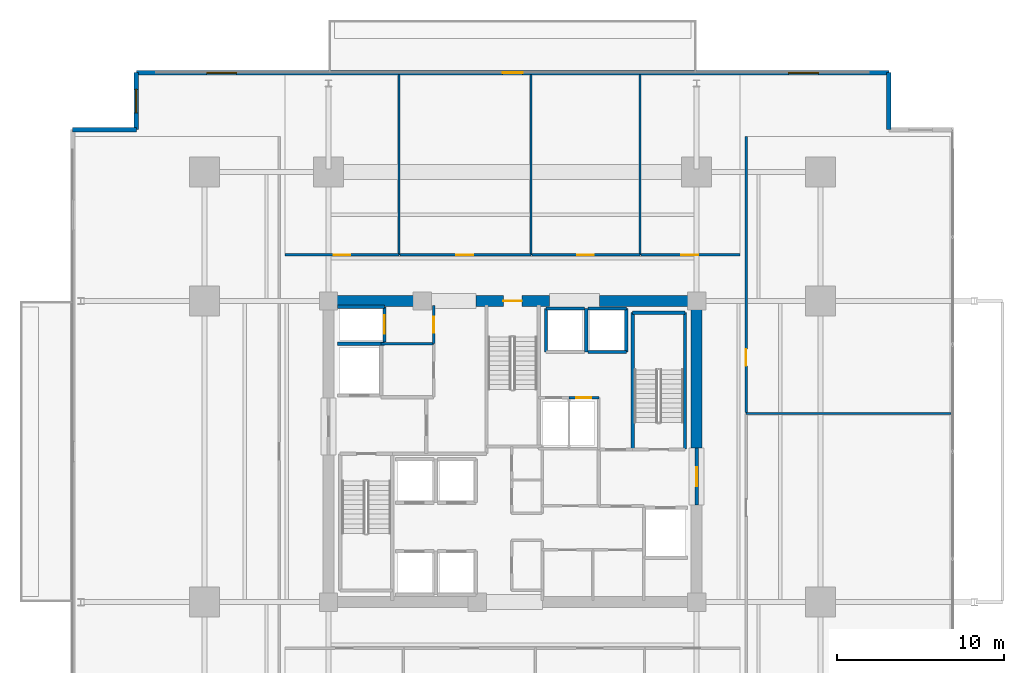
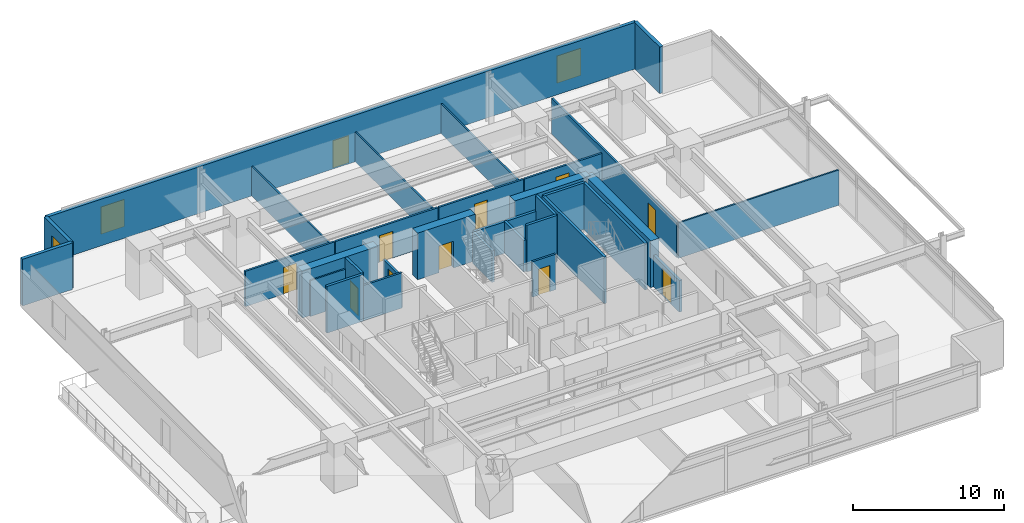
# One storey, part 14 of 19: 33 walls, 11 doors, 3 windows, 14 openings.
"""IFC4 building model written with IfcOpenShell, lengths in metres."""

from ifc_helpers import new_model, si_unit, direction, frame, frame_2d, origin, place, context, subcontext, project, spatial, rectangle, extrude, material, layer, layer_set, type_object, element, fill, save


model = new_model("IFC4")

# Units and contexts
model_context = context("Model", 3, precision=1e-05, world=origin(), true_north=direction((0.0, 1.0)))
body_context = subcontext(model_context, "Body", "Model", "MODEL_VIEW")
ifc_project = project(units=[si_unit("LENGTHUNIT", "METRE"), si_unit("AREAUNIT", "SQUARE_METRE"), si_unit("VOLUMEUNIT", "CUBIC_METRE"), si_unit("PLANEANGLEUNIT", "RADIAN"), si_unit("MASSUNIT", "GRAM", prefix="KILO")], contexts=[model_context])

# Site, building, storey
site_placement = place(None, origin())
site = spatial("IfcSite", under=ifc_project, at=site_placement, CompositionType="ELEMENT")
building_placement = place(site_placement, origin())
building = spatial("IfcBuilding", under=site, at=building_placement, Name="Kovane Verandah Tower", CompositionType="ELEMENT")
storey_placement = place(building_placement, frame((0.0, 0.0, 83.60009765625)))
storey = spatial("IfcBuildingStorey", under=building, at=storey_placement, Name="L19", CompositionType="ELEMENT", Elevation=83.60009765625)

# Wall
ifc_material_1 = material(Name="Fire-Rated Gypsum Stud Partition", Category="gypsum")
ifc_layer_1 = layer(ifc_material_1, 0.14990234375)
ifc_layer_set_1 = layer_set([ifc_layer_1], Name="Fire-Rated Gypsum Stud Partition")
wall_type_1 = type_object("IfcWallType", Name="WL-COR-150", PredefinedType="PARTITIONING", material=ifc_layer_set_1)
wall_1_placement = place(storey_placement, frame((32.14990234375, 33.949951171875, 0.0), z_axis=(0.0, 0.0, 1.0), x_axis=(1.0, 0.0, 0.0)))
element("IfcWall", 1, at=wall_1_placement, inside=storey, type_object=wall_type_1, Name="L19 Goods Lift Lobby South Wall", PredefinedType="PARTITIONING", context=body_context, shape_type="SweptSolid", body=[
    extrude(rectangle(XDim=3.130126953125, YDim=0.14990234375, at=frame_2d((1.56494140625, 0.0))), origin(), (0.0, 0.0, 1.0), 2.849853515625),
])

# Wall, opening, door
wall_2_placement = place(storey_placement, frame((35.280029296875, 33.949951171875, 0.0), z_axis=(0.0, 0.0, 1.0), x_axis=(0.0, 1.0, 0.0)))
wall_2 = element("IfcWall", 2, at=wall_2_placement, inside=storey, type_object=wall_type_1, Name="L19 Goods Lift Lobby East Fire Partition", PredefinedType="PARTITIONING", context=body_context, shape_type="SweptSolid", body=[
    extrude(rectangle(XDim=2.27001953125, YDim=0.14990234375, at=frame_2d((1.135009765625, 0.0))), origin(), (0.0, 0.0, 1.0), 2.539794921875),
])
opening_1_placement = place(wall_2_placement, frame((0.659912109375, 0.0, 0.0)))
opening_1 = element("IfcOpeningElement", 3, at=opening_1_placement, cuts=wall_2, Name="Opening DR-L19-008", PredefinedType="OPENING", context=body_context, shape_type="SweptSolid", body=[
    extrude(rectangle(XDim=0.949951171875, YDim=2.14990234375, at=frame_2d((0.47509765625, 1.074951171875))), frame((0.0, 0.074951171875, 0.0), z_axis=(0.0, -1.0, 0.0), x_axis=(1.0, 0.0, 0.0)), (0.0, 0.0, 1.0), 0.14990234375),
])
ifc_material_2 = material(Name="Fire-Rated Steel Refuge and Lobby Door", Category="steel")
door_type_1 = type_object("IfcDoorType", Name="DR-FIRE-950", OperationType="SINGLE_SWING_LEFT", PredefinedType="DOOR", material=ifc_material_2)
door_1_placement = place(opening_1_placement, origin())
door_1 = element("IfcDoor", 4, at=door_1_placement, inside=storey, type_object=door_type_1, Name="L19 Goods Lift Lobby Fire Door", OperationType="SINGLE_SWING_LEFT", OverallHeight=2.14990234375, OverallWidth=0.949951171875, PredefinedType="DOOR", context=body_context, shape_type="SweptSolid", body=[
    extrude(rectangle(XDim=0.949951171875, YDim=2.14990234375, at=frame_2d((0.47509765625, 1.074951171875))), frame((0.0, 0.02490234375, 0.0), z_axis=(0.0, -1.0, 0.0), x_axis=(1.0, 0.0, 0.0)), (0.0, 0.0, 1.0), 0.050048828125),
])
fill(opening_1, door_1)

wall_3_placement = place(storey_placement, frame((43.360107421875, 30.719970703125, 0.0), z_axis=(0.0, 0.0, 1.0), x_axis=(1.0, 0.0, 0.0)))
wall_3 = element("IfcWall", 5, at=wall_3_placement, inside=storey, type_object=wall_type_1, Name="L19 Smoke Extract Duct Room Partition", PredefinedType="PARTITIONING", context=body_context, shape_type="SweptSolid", body=[
    extrude(rectangle(XDim=1.789794921875, YDim=0.14990234375, at=frame_2d((0.89501953125, 0.0))), origin(), (0.0, 0.0, 1.0), 2.849853515625),
])
opening_2_placement = place(wall_3_placement, frame((0.455078125, 0.0, 0.0)))
opening_2 = element("IfcOpeningElement", 6, at=opening_2_placement, cuts=wall_3, Name="Opening DR-L19-018", PredefinedType="OPENING", context=body_context, shape_type="SweptSolid", body=[
    extrude(rectangle(XDim=0.8798828125, YDim=2.10009765625, at=frame_2d((0.43994140625, 1.050048828125))), frame((0.0, 0.074951171875, 0.0), z_axis=(0.0, -1.0, 0.0), x_axis=(1.0, 0.0, 0.0)), (0.0, 0.0, 1.0), 0.14990234375),
])
ifc_material_3 = material(Name="Fire-Rated Steel Riser Access Door", Category="steel")
door_type_2 = type_object("IfcDoorType", Name="DR-RISER-880", OperationType="SINGLE_SWING_LEFT", PredefinedType="DOOR", material=ifc_material_3)
door_2_placement = place(opening_2_placement, origin())
door_2 = element("IfcDoor", 7, at=door_2_placement, inside=storey, type_object=door_type_2, Name="L19 Smoke Extract Duct Room Door", OperationType="SINGLE_SWING_LEFT", OverallHeight=2.10009765625, OverallWidth=0.8798828125, PredefinedType="DOOR", context=body_context, shape_type="SweptSolid", body=[
    extrude(rectangle(XDim=0.8798828125, YDim=2.10009765625, at=frame_2d((0.43994140625, 1.050048828125))), frame((0.0, 0.02490234375, 0.0), z_axis=(0.0, -1.0, 0.0), x_axis=(1.0, 0.0, 0.0)), (0.0, 0.0, 1.0), 0.050048828125),
])
fill(opening_2, door_2)

wall_4_placement = place(storey_placement, frame((26.39990234375, 39.25, 0.0), z_axis=(0.0, 0.0, 1.0), x_axis=(1.0, 0.0, 0.0)))
wall_4 = element("IfcWall", 8, at=wall_4_placement, inside=storey, type_object=wall_type_1, Name="L19 Focus Studio N1 Corridor Partition", PredefinedType="PARTITIONING", context=body_context, shape_type="SweptSolid", body=[
    extrude(rectangle(XDim=6.800048828125, YDim=0.14990234375, at=frame_2d((3.39990234375, 0.0))), origin(), (0.0, 0.0, 1.0), 2.849853515625),
])
opening_3_placement = place(wall_4_placement, frame((2.9150390625, 0.0, 0.0)))
opening_3 = element("IfcOpeningElement", 9, at=opening_3_placement, cuts=wall_4, Name="Opening DR-L19-019", PredefinedType="OPENING", context=body_context, shape_type="SweptSolid", body=[
    extrude(rectangle(XDim=1.0, YDim=2.14990234375, at=frame_2d((0.5, 1.074951171875))), frame((0.0, 0.074951171875, 0.0), z_axis=(0.0, -1.0, 0.0), x_axis=(1.0, 0.0, 0.0)), (0.0, 0.0, 1.0), 0.14990234375),
])
ifc_material_4 = material(Name="FSC Spotted-Gum Timber Fire-Rated Office Door", Category="wood")
door_type_3 = type_object("IfcDoorType", Name="DR-OFF-1000", OperationType="SINGLE_SWING_LEFT", PredefinedType="DOOR", material=ifc_material_4)
door_3_placement = place(opening_3_placement, origin())
door_3 = element("IfcDoor", 10, at=door_3_placement, inside=storey, type_object=door_type_3, Name="L19 Focus Studio N1 Entrance Door", OperationType="SINGLE_SWING_RIGHT", OverallHeight=2.14990234375, OverallWidth=1.0, PredefinedType="DOOR", context=body_context, shape_type="SweptSolid", body=[
    extrude(rectangle(XDim=1.0, YDim=2.14990234375, at=frame_2d((0.5, 1.074951171875))), frame((0.0, 0.02490234375, 0.0), z_axis=(0.0, -1.0, 0.0), x_axis=(1.0, 0.0, 0.0)), (0.0, 0.0, 1.0), 0.050048828125),
])
fill(opening_3, door_3)

wall_5_placement = place(storey_placement, frame((33.27001953125, 39.25, 0.0), z_axis=(0.0, 0.0, 1.0), x_axis=(1.0, 0.0, 0.0)))
wall_5 = element("IfcWall", 11, at=wall_5_placement, inside=storey, type_object=wall_type_1, Name="L19 Breakout Pantry N2 Corridor Partition", PredefinedType="PARTITIONING", context=body_context, shape_type="SweptSolid", body=[
    extrude(rectangle(XDim=7.81787109375, YDim=0.14990234375, at=frame_2d((3.908935546875, 0.0))), origin(), (0.0, 0.0, 1.0), 2.849853515625),
])
opening_4_placement = place(wall_5_placement, frame((3.3740234375, 0.0, 0.0)))
opening_4 = element("IfcOpeningElement", 12, at=opening_4_placement, cuts=wall_5, Name="Opening DR-L19-020", PredefinedType="OPENING", context=body_context, shape_type="SweptSolid", body=[
    extrude(rectangle(XDim=1.0, YDim=2.14990234375, at=frame_2d((0.5, 1.074951171875))), frame((0.0, 0.074951171875, 0.0), z_axis=(0.0, -1.0, 0.0), x_axis=(1.0, 0.0, 0.0)), (0.0, 0.0, 1.0), 0.14990234375),
])
door_4_placement = place(opening_4_placement, origin())
door_4 = element("IfcDoor", 13, at=door_4_placement, inside=storey, type_object=door_type_3, Name="L19 Breakout Pantry N2 Entrance Door", OperationType="SINGLE_SWING_LEFT", OverallHeight=2.14990234375, OverallWidth=1.0, PredefinedType="DOOR", context=body_context, shape_type="SweptSolid", body=[
    extrude(rectangle(XDim=1.0, YDim=2.14990234375, at=frame_2d((0.5, 1.074951171875))), frame((0.0, 0.02490234375, 0.0), z_axis=(0.0, -1.0, 0.0), x_axis=(1.0, 0.0, 0.0)), (0.0, 0.0, 1.0), 0.050048828125),
])
fill(opening_4, door_4)

wall_6_placement = place(storey_placement, frame((41.157958984375, 39.25, 0.0), z_axis=(0.0, 0.0, 1.0), x_axis=(1.0, 0.0, 0.0)))
wall_6 = element("IfcWall", 14, at=wall_6_placement, inside=storey, type_object=wall_type_1, Name="L19 Collaboration Hub N3 Corridor Partition", PredefinedType="PARTITIONING", context=body_context, shape_type="SweptSolid", body=[
    extrude(rectangle(XDim=6.4580078125, YDim=0.14990234375, at=frame_2d((3.22900390625, 0.0))), origin(), (0.0, 0.0, 1.0), 2.849853515625),
])
opening_5_placement = place(wall_6_placement, frame((2.694091796875, 0.0, 0.0)))
opening_5 = element("IfcOpeningElement", 15, at=opening_5_placement, cuts=wall_6, Name="Opening DR-L19-021", PredefinedType="OPENING", context=body_context, shape_type="SweptSolid", body=[
    extrude(rectangle(XDim=1.0, YDim=2.14990234375, at=frame_2d((0.5, 1.074951171875))), frame((0.0, 0.074951171875, 0.0), z_axis=(0.0, -1.0, 0.0), x_axis=(1.0, 0.0, 0.0)), (0.0, 0.0, 1.0), 0.14990234375),
])
door_5_placement = place(opening_5_placement, origin())
door_5 = element("IfcDoor", 16, at=door_5_placement, inside=storey, type_object=door_type_3, Name="L19 Collaboration Hub N3 Entrance Door", OperationType="SINGLE_SWING_RIGHT", OverallHeight=2.14990234375, OverallWidth=1.0, PredefinedType="DOOR", context=body_context, shape_type="SweptSolid", body=[
    extrude(rectangle(XDim=1.0, YDim=2.14990234375, at=frame_2d((0.5, 1.074951171875))), frame((0.0, 0.02490234375, 0.0), z_axis=(0.0, -1.0, 0.0), x_axis=(1.0, 0.0, 0.0)), (0.0, 0.0, 1.0), 0.050048828125),
])
fill(opening_5, door_5)

wall_7_placement = place(storey_placement, frame((47.68603515625, 39.25, 0.0), z_axis=(0.0, 0.0, 1.0), x_axis=(1.0, 0.0, 0.0)))
wall_7 = element("IfcWall", 17, at=wall_7_placement, inside=storey, type_object=wall_type_1, Name="L19 Document and Print Room N4 Corridor Partition", PredefinedType="PARTITIONING", context=body_context, shape_type="SweptSolid", body=[
    extrude(rectangle(XDim=5.9140625, YDim=0.14990234375, at=frame_2d((2.95703125, 0.0))), origin(), (0.0, 0.0, 1.0), 2.849853515625),
])
opening_6_placement = place(wall_7_placement, frame((2.406982421875, 0.0, 0.0)))
opening_6 = element("IfcOpeningElement", 18, at=opening_6_placement, cuts=wall_7, Name="Opening DR-L19-022", PredefinedType="OPENING", context=body_context, shape_type="SweptSolid", body=[
    extrude(rectangle(XDim=1.0, YDim=2.14990234375, at=frame_2d((0.5, 1.074951171875))), frame((0.0, 0.074951171875, 0.0), z_axis=(0.0, -1.0, 0.0), x_axis=(1.0, 0.0, 0.0)), (0.0, 0.0, 1.0), 0.14990234375),
])
door_6_placement = place(opening_6_placement, origin())
door_6 = element("IfcDoor", 19, at=door_6_placement, inside=storey, type_object=door_type_3, Name="L19 Document and Print Room N4 Entrance Door", OperationType="SINGLE_SWING_LEFT", OverallHeight=2.14990234375, OverallWidth=1.0, PredefinedType="DOOR", context=body_context, shape_type="SweptSolid", body=[
    extrude(rectangle(XDim=1.0, YDim=2.14990234375, at=frame_2d((0.5, 1.074951171875))), frame((0.0, 0.02490234375, 0.0), z_axis=(0.0, -1.0, 0.0), x_axis=(1.0, 0.0, 0.0)), (0.0, 0.0, 1.0), 0.050048828125),
])
fill(opening_6, door_6)

wall_8_placement = place(storey_placement, frame((53.949951171875, 29.830810546875, 0.0), z_axis=(0.0, 0.0, 1.0), x_axis=(0.0, 1.0, 0.0)))
wall_8 = element("IfcWall", 20, at=wall_8_placement, inside=storey, type_object=wall_type_1, Name="L19 Collaboration Hub E2 Corridor Partition", PredefinedType="PARTITIONING", context=body_context, shape_type="SweptSolid", body=[
    extrude(rectangle(XDim=16.50830078125, YDim=0.14990234375, at=frame_2d((8.254150390625, 0.0))), origin(), (0.0, 0.0, 1.0), 2.849853515625),
])
opening_7_placement = place(wall_8_placement, frame((2.78466796875, 0.0, 0.0)))
opening_7 = element("IfcOpeningElement", 21, at=opening_7_placement, cuts=wall_8, Name="Opening DR-L19-013", PredefinedType="OPENING", context=body_context, shape_type="SweptSolid", body=[
    extrude(rectangle(XDim=1.0, YDim=2.14990234375, at=frame_2d((0.5, 1.074951171875))), frame((0.0, 0.074951171875, 0.0), z_axis=(0.0, -1.0, 0.0), x_axis=(1.0, 0.0, 0.0)), (0.0, 0.0, 1.0), 0.14990234375),
])
door_7_placement = place(opening_7_placement, origin())
door_7 = element("IfcDoor", 22, at=door_7_placement, inside=storey, type_object=door_type_3, Name="L19 Collaboration Hub E2 Entrance Door", OperationType="SINGLE_SWING_RIGHT", OverallHeight=2.14990234375, OverallWidth=1.0, PredefinedType="DOOR", context=body_context, shape_type="SweptSolid", body=[
    extrude(rectangle(XDim=1.0, YDim=2.14990234375, at=frame_2d((0.5, 1.074951171875))), frame((0.0, 0.02490234375, 0.0), z_axis=(0.0, -1.0, 0.0), x_axis=(1.0, 0.0, 0.0)), (0.0, 0.0, 1.0), 0.050048828125),
])
fill(opening_7, door_7)

# Wall
ifc_material_5 = material(Name="Concrete C80/95", Category="concrete")
ifc_layer_2 = layer(ifc_material_5, 0.64990234375)
ifc_layer_set_2 = layer_set([ifc_layer_2], Name="Concrete C80/95")
wall_type_2 = type_object("IfcWallType", Name="WL-CORE-650", PredefinedType="SHEAR", material=ifc_layer_set_2)
wall_9_placement = place(storey_placement, frame((29.0, 36.5, 0.0), z_axis=(0.0, 0.0, 1.0), x_axis=(1.0, 0.0, 0.0)))
element("IfcWall", 23, at=wall_9_placement, inside=storey, type_object=wall_type_2, Name="L19 Core Shear Wall CN-1", PredefinedType="SHEAR", context=body_context, shape_type="SweptSolid", body=[
    extrude(rectangle(XDim=5.800048828125, YDim=0.64990234375, at=frame_2d((2.89990234375, 0.0))), origin(), (0.0, 0.0, 1.0), 3.760009765625),
])

# Wall, opening, door
wall_10_placement = place(storey_placement, frame((37.800048828125, 36.5, 0.0), z_axis=(0.0, 0.0, 1.0), x_axis=(1.0, 0.0, 0.0)))
wall_10 = element("IfcWall", 24, at=wall_10_placement, inside=storey, type_object=wall_type_2, Name="L19 Core Shear Wall CN-2", PredefinedType="SHEAR", context=body_context, shape_type="SweptSolid", body=[
    extrude(rectangle(XDim=4.39990234375, YDim=0.64990234375, at=frame_2d((2.199951171875, 0.0))), origin(), (0.0, 0.0, 1.0), 3.760009765625),
])
opening_8_placement = place(wall_10_placement, frame((1.64990234375, 0.0, 0.0)))
opening_8 = element("IfcOpeningElement", 25, at=opening_8_placement, cuts=wall_10, Name="Opening DR-L19-011", PredefinedType="OPENING", context=body_context, shape_type="SweptSolid", body=[
    extrude(rectangle(XDim=1.10009765625, YDim=2.14990234375, at=frame_2d((0.550048828125, 1.074951171875))), frame((0.0, 0.324951171875, 0.0), z_axis=(0.0, -1.0, 0.0), x_axis=(1.0, 0.0, 0.0)), (0.0, 0.0, 1.0), 0.64990234375),
])
ifc_material_6 = material(Name="Fire-Rated Steel Exit Door", Category="steel")
door_type_4 = type_object("IfcDoorType", Name="DR-STAIR-1100", OperationType="SINGLE_SWING_LEFT", PredefinedType="DOOR", material=ifc_material_6)
door_8_placement = place(opening_8_placement, origin())
door_8 = element("IfcDoor", 26, at=door_8_placement, inside=storey, type_object=door_type_4, Name="L19 ST-03 Fire Exit Stair Door", OperationType="SINGLE_SWING_LEFT", OverallHeight=2.14990234375, OverallWidth=1.10009765625, PredefinedType="DOOR", context=body_context, shape_type="SweptSolid", body=[
    extrude(rectangle(XDim=1.10009765625, YDim=2.14990234375, at=frame_2d((0.550048828125, 1.074951171875))), frame((0.0, 0.02490234375, 0.0), z_axis=(0.0, -1.0, 0.0), x_axis=(1.0, 0.0, 0.0)), (0.0, 0.0, 1.0), 0.050048828125),
])
fill(opening_8, door_8)

# Walls
wall_11_placement = place(storey_placement, frame((45.199951171875, 36.5, 0.0), z_axis=(0.0, 0.0, 1.0), x_axis=(1.0, 0.0, 0.0)))
element("IfcWall", 27, at=wall_11_placement, inside=storey, type_object=wall_type_2, Name="L19 Core Shear Wall CN-3", PredefinedType="SHEAR", context=body_context, shape_type="SweptSolid", body=[
    extrude(rectangle(XDim=5.800048828125, YDim=0.64990234375, at=frame_2d((2.89990234375, 0.0))), origin(), (0.0, 0.0, 1.0), 3.760009765625),
])
wall_12_placement = place(storey_placement, frame((51.0, 27.699951171875, 0.0), z_axis=(0.0, 0.0, 1.0), x_axis=(0.0, 1.0, 0.0)))
element("IfcWall", 28, at=wall_12_placement, inside=storey, type_object=wall_type_2, Name="L19 Core Shear Wall CE-2", PredefinedType="SHEAR", context=body_context, shape_type="SweptSolid", body=[
    extrude(rectangle(XDim=8.800048828125, YDim=0.64990234375, at=frame_2d((4.39990234375, 0.0))), origin(), (0.0, 0.0, 1.0), 3.760009765625),
])

# Wall, opening, door
ifc_material_7 = material(Name="Concrete C45/55 Fire Wall", Category="concrete")
ifc_layer_3 = layer(ifc_material_7, 0.199951171875)
ifc_layer_set_3 = layer_set([ifc_layer_3], Name="Concrete C45/55 Fire Wall")
wall_type_3 = type_object("IfcWallType", Name="WL-FFL-200", PredefinedType="PARTITIONING", material=ifc_layer_set_3)
wall_13_placement = place(storey_placement, frame((51.0, 24.300048828125, 0.0), z_axis=(0.0, 0.0, 1.0), x_axis=(0.0, 1.0, 0.0)))
wall_13 = element("IfcWall", 29, at=wall_13_placement, inside=storey, type_object=wall_type_3, Name="W-L19-FFLE-OUT", PredefinedType="PARTITIONING", context=body_context, shape_type="SweptSolid", body=[
    extrude(rectangle(XDim=3.39990234375, YDim=0.199951171875, at=frame_2d((1.699951171875, 0.0))), origin(), (0.0, 0.0, 1.0), 2.539794921875),
])
opening_9_placement = place(wall_13_placement, frame((1.125, 0.0, 0.0)))
opening_9 = element("IfcOpeningElement", 30, at=opening_9_placement, cuts=wall_13, Name="Opening DR-L19-005", PredefinedType="OPENING", context=body_context, shape_type="SweptSolid", body=[
    extrude(rectangle(XDim=1.14990234375, YDim=2.199951171875, at=frame_2d((0.574951171875, 1.10009765625))), frame((0.0, 0.10009765625, 0.0), z_axis=(0.0, -1.0, 0.0), x_axis=(1.0, 0.0, 0.0)), (0.0, 0.0, 1.0), 0.199951171875),
])
ifc_material_8 = material(Name="Smoke-Sealed Firefighting Lobby Door", Category="steel")
door_type_5 = type_object("IfcDoorType", Name="DR-FFL-1150", OperationType="SINGLE_SWING_LEFT", PredefinedType="DOOR", material=ifc_material_8)
door_9_placement = place(opening_9_placement, origin())
door_9 = element("IfcDoor", 31, at=door_9_placement, inside=storey, type_object=door_type_5, Name="L19 East Firefighting Lobby Corridor Door", OperationType="SINGLE_SWING_LEFT", OverallHeight=2.199951171875, OverallWidth=1.14990234375, PredefinedType="DOOR", context=body_context, shape_type="SweptSolid", body=[
    extrude(rectangle(XDim=1.14990234375, YDim=2.199951171875, at=frame_2d((0.574951171875, 1.10009765625))), frame((0.0, 0.02490234375, 0.0), z_axis=(0.0, -1.0, 0.0), x_axis=(1.0, 0.0, 0.0)), (0.0, 0.0, 1.0), 0.050048828125),
])
fill(opening_9, door_9)

# Walls
ifc_material_9 = material(Name="Concrete C45/55 Lift Shaft Wall", Category="concrete")
ifc_layer_4 = layer(ifc_material_9, 0.199951171875)
ifc_layer_set_4 = layer_set([ifc_layer_4], Name="Concrete C45/55 Lift Shaft Wall")
wall_type_4 = type_object("IfcWallType", Name="WL-LIFT-200", PredefinedType="SOLIDWALL", material=ifc_layer_set_4)
wall_14_placement = place(storey_placement, frame((29.550048828125, 33.949951171875, 0.0), z_axis=(0.0, 0.0, 1.0), x_axis=(1.0, 0.0, 0.0)))
element("IfcWall", 32, at=wall_14_placement, inside=storey, type_object=wall_type_4, Name="L19 Lift FL-01 and GL-01 Shared Shaft Wall", PredefinedType="SOLIDWALL", context=body_context, shape_type="SweptSolid", body=[
    extrude(rectangle(XDim=2.800048828125, YDim=0.199951171875, at=frame_2d((1.39990234375, 0.0))), origin(), (0.0, 0.0, 1.0), 3.760009765625),
])
wall_15_placement = place(storey_placement, frame((32.35009765625, 36.14990234375, 0.0), z_axis=(0.0, 0.0, 1.0), x_axis=(-1.0, 0.0, 0.0)))
element("IfcWall", 33, at=wall_15_placement, inside=storey, type_object=wall_type_4, Name="L19 Lift GL-01 N Shaft Wall", PredefinedType="SOLIDWALL", context=body_context, shape_type="SweptSolid", body=[
    extrude(rectangle(XDim=2.800048828125, YDim=0.199951171875, at=frame_2d((1.39990234375, 0.0))), origin(), (0.0, 0.0, 1.0), 2.88916015625),
])

# Wall, opening, door
wall_16_placement = place(storey_placement, frame((32.35009765625, 34.050048828125, 0.0), z_axis=(0.0, 0.0, 1.0), x_axis=(0.0, 1.0, 0.0)))
wall_16 = element("IfcWall", 34, at=wall_16_placement, inside=storey, type_object=wall_type_4, Name="L19 Lift GL-01 E Shaft Wall", PredefinedType="SOLIDWALL", context=body_context, shape_type="SweptSolid", body=[
    extrude(rectangle(XDim=2.099853515625, YDim=0.199951171875, at=frame_2d((1.0498046875, 0.0))), origin(), (0.0, 0.0, 1.0), 3.760009765625),
])
opening_10_placement = place(wall_16_placement, frame((0.5, 0.0, 0.0)))
opening_10 = element("IfcOpeningElement", 35, at=opening_10_placement, cuts=wall_16, Name="Opening LD-L19-003", PredefinedType="OPENING", context=body_context, shape_type="SweptSolid", body=[
    extrude(rectangle(XDim=1.10009765625, YDim=2.199951171875, at=frame_2d((0.550048828125, 1.10009765625))), frame((0.0, 0.10009765625, 0.0), z_axis=(0.0, -1.0, 0.0), x_axis=(1.0, 0.0, 0.0)), (0.0, 0.0, 1.0), 0.199951171875),
])
ifc_material_10 = material(Name="Brushed Stainless Steel Sliding Lift Landing Door", Category="steel")
door_type_6 = type_object("IfcDoorType", Name="DR-LIFT-1100", OperationType="SLIDING_TO_RIGHT", PredefinedType="DOOR", material=ifc_material_10)
door_10_placement = place(opening_10_placement, origin())
door_10 = element("IfcDoor", 36, at=door_10_placement, inside=storey, type_object=door_type_6, Name="L19 Lift GL-01 Sliding Landing Door", OperationType="SLIDING_TO_RIGHT", OverallHeight=2.199951171875, OverallWidth=1.10009765625, PredefinedType="DOOR", context=body_context, shape_type="SweptSolid", body=[
    extrude(rectangle(XDim=1.10009765625, YDim=2.199951171875, at=frame_2d((0.550048828125, 1.10009765625))), frame((0.0, 0.02490234375, 0.0), z_axis=(0.0, -1.0, 0.0), x_axis=(1.0, 0.0, 0.0)), (0.0, 0.0, 1.0), 0.050048828125),
])
fill(opening_10, door_10)

# Walls
wall_17_placement = place(storey_placement, frame((44.300048828125, 36.050048828125, 0.0), z_axis=(0.0, 0.0, 1.0), x_axis=(-1.0, 0.0, 0.0)))
element("IfcWall", 37, at=wall_17_placement, inside=storey, type_object=wall_type_4, Name="L19 Lift SL-01 N Shaft Wall", PredefinedType="SOLIDWALL", context=body_context, shape_type="SweptSolid", body=[
    extrude(rectangle(XDim=2.300048828125, YDim=0.199951171875, at=frame_2d((1.14990234375, 0.0))), origin(), (0.0, 0.0, 1.0), 2.539794921875),
])
for number, where, z_axis, x_axis, name in (
    (38, (42.0, 36.050048828125, 0.0), (0.0, 0.0, 1.0), (0.0, -1.0, 0.0), "L19 Lift SL-01 W Shaft Wall"),
    (39, (44.39990234375, 33.449951171875, 0.0), (0.0, 0.0, 1.0), (0.0, 1.0, 0.0), "L19 Lift OL-01 and SL-01 Shared Shaft Wall"),
):
    element("IfcWall", number, at=place(storey_placement, frame(where, z_axis=z_axis, x_axis=x_axis)), inside=storey, type_object=wall_type_4, Name=name, PredefinedType="SOLIDWALL", context=body_context, shape_type="SweptSolid", body=[
        extrude(rectangle(XDim=2.60009765625, YDim=0.199951171875, at=frame_2d((1.300048828125, 0.0))), origin(), (0.0, 0.0, 1.0), 2.539794921875),
    ])
wall_18_placement = place(storey_placement, frame((44.5, 33.449951171875, 0.0), z_axis=(0.0, 0.0, 1.0), x_axis=(1.0, 0.0, 0.0)))
element("IfcWall", 40, at=wall_18_placement, inside=storey, type_object=wall_type_4, Name="L19 Lift OL-01 S Shaft Wall", PredefinedType="SOLIDWALL", context=body_context, shape_type="SweptSolid", body=[
    extrude(rectangle(XDim=2.300048828125, YDim=0.199951171875, at=frame_2d((1.14990234375, 0.0))), origin(), (0.0, 0.0, 1.0), 3.760009765625),
])
wall_19_placement = place(storey_placement, frame((46.800048828125, 36.050048828125, 0.0), z_axis=(0.0, 0.0, 1.0), x_axis=(-1.0, 0.0, 0.0)))
element("IfcWall", 41, at=wall_19_placement, inside=storey, type_object=wall_type_4, Name="L19 Lift OL-01 N Shaft Wall", PredefinedType="SOLIDWALL", context=body_context, shape_type="SweptSolid", body=[
    extrude(rectangle(XDim=2.300048828125, YDim=0.199951171875, at=frame_2d((1.14990234375, 0.0))), origin(), (0.0, 0.0, 1.0), 2.539794921875),
])
wall_20_placement = place(storey_placement, frame((46.800048828125, 33.449951171875, 0.0), z_axis=(0.0, 0.0, 1.0), x_axis=(0.0, 1.0, 0.0)))
element("IfcWall", 42, at=wall_20_placement, inside=storey, type_object=wall_type_4, Name="L19 Lift OL-01 E Shaft Wall", PredefinedType="SOLIDWALL", context=body_context, shape_type="SweptSolid", body=[
    extrude(rectangle(XDim=2.60009765625, YDim=0.199951171875, at=frame_2d((1.300048828125, 0.0))), origin(), (0.0, 0.0, 1.0), 3.760009765625),
])
ifc_material_11 = material(Name="Acoustic Fire-Rated Gypsum Partition", Category="gypsum")
ifc_layer_5 = layer(ifc_material_11, 0.1201171875)
ifc_layer_set_5 = layer_set([ifc_layer_5], Name="Acoustic Fire-Rated Gypsum Partition")
wall_type_5 = type_object("IfcWallType", Name="WL-PART-120", PredefinedType="PARTITIONING", material=ifc_layer_set_5)
for number, where, z_axis, x_axis, name in (
    (43, (33.199951171875, 39.25, 0.0), (0.0, 0.0, 1.0), (0.0, 1.0, 0.0), "L19 Focus Studio N1 Dividing Partition"),
    (44, (41.087890625, 39.25, 0.0), (0.0, 0.0, 1.0), (0.0, 1.0, 0.0), "L19 Breakout Pantry N2 Dividing Partition"),
    (45, (47.615966796875, 39.25, 0.0), (0.0, 0.0, 1.0), (0.0, 1.0, 0.0), "L19 Collaboration Hub N3 Dividing Partition"),
):
    element("IfcWall", number, at=place(storey_placement, frame(where, z_axis=z_axis, x_axis=x_axis)), inside=storey, type_object=wall_type_5, Name=name, PredefinedType="PARTITIONING", context=body_context, shape_type="SweptSolid", body=[
        extrude(rectangle(XDim=10.789306640625, YDim=0.1201171875, at=frame_2d((5.39453125, 0.0))), origin(), (0.0, 0.0, 1.0), 2.389892578125),
    ])
wall_21_placement = place(storey_placement, frame((53.949951171875, 29.7607421875, 0.0), z_axis=(0.0, 0.0, 1.0), x_axis=(1.0, 0.0, 0.0)))
element("IfcWall", 46, at=wall_21_placement, inside=storey, type_object=wall_type_5, Name="L19 Breakout Pantry E1 Dividing Partition", PredefinedType="PARTITIONING", context=body_context, shape_type="SweptSolid", body=[
    extrude(rectangle(XDim=12.234619140625, YDim=0.1201171875, at=frame_2d((6.1171875, 0.0))), origin(), (0.0, 0.0, 1.0), 2.849853515625),
])
ifc_material_12 = material(Name="Concrete C45/55", Category="concrete")
ifc_layer_6 = layer(ifc_material_12, 0.199951171875)
ifc_layer_set_6 = layer_set([ifc_layer_6], Name="Concrete C45/55")
wall_type_6 = type_object("IfcWallType", Name="WL-SHAFT-200", PredefinedType="SOLIDWALL", material=ifc_layer_set_6)
wall_22_placement = place(storey_placement, frame((50.300048828125, 27.64990234375, 0.0), z_axis=(0.0, 0.0, 1.0), x_axis=(0.0, 1.0, 0.0)))
element("IfcWall", 47, at=wall_22_placement, inside=storey, type_object=wall_type_6, Name="W-L19-ST02-E", PredefinedType="SOLIDWALL", context=body_context, shape_type="SweptSolid", body=[
    extrude(rectangle(XDim=8.150146484375, YDim=0.199951171875, at=frame_2d((4.0751953125, 0.0))), origin(), (0.0, 0.0, 1.0), 3.760009765625),
])
wall_23_placement = place(storey_placement, frame((47.179931640625, 35.800048828125, 0.0), z_axis=(0.0, 0.0, 1.0), x_axis=(1.0, 0.0, 0.0)))
element("IfcWall", 48, at=wall_23_placement, inside=storey, type_object=wall_type_6, Name="W-L19-ST02-N", PredefinedType="SOLIDWALL", context=body_context, shape_type="SweptSolid", body=[
    extrude(rectangle(XDim=3.1201171875, YDim=0.199951171875, at=frame_2d((1.56005859375, 0.0))), origin(), (0.0, 0.0, 1.0), 3.760009765625),
])
wall_24_placement = place(storey_placement, frame((47.179931640625, 27.6201171875, 0.0), z_axis=(0.0, 0.0, 1.0), x_axis=(0.0, 1.0, 0.0)))
element("IfcWall", 49, at=wall_24_placement, inside=storey, type_object=wall_type_6, Name="W-L19-ST02-W", PredefinedType="SOLIDWALL", context=body_context, shape_type="SweptSolid", body=[
    extrude(rectangle(XDim=8.179931640625, YDim=0.199951171875, at=frame_2d((4.08984375, 0.0))), origin(), (0.0, 0.0, 1.0), 3.760009765625),
])

# Wall, openings, door, windows
ifc_material_13 = material(Name="Concrete C45/55 Insulated Spandrel Wall", Category="concrete")
ifc_layer_7 = layer(ifc_material_13, 0.260009765625)
ifc_layer_set_7 = layer_set([ifc_layer_7], Name="Concrete C45/55 Insulated Spandrel Wall")
wall_type_7 = type_object("IfcWallType", Name="WL-SPANDREL-260", PredefinedType="PARAPET", material=ifc_layer_set_7)
wall_25_placement = place(storey_placement, frame((62.484619140625, 50.13916015625, 0.0), z_axis=(0.0, 0.0, 1.0), x_axis=(-1.0, 0.0, 0.0)))
wall_25 = element("IfcWall", 50, at=wall_25_placement, inside=storey, type_object=wall_type_7, Name="L19 N Verandah Access Facade Wall", PredefinedType="PARAPET", context=body_context, shape_type="SweptSolid", body=[
    extrude(rectangle(XDim=44.96923828125, YDim=0.260009765625, at=frame_2d((22.484619140625, 0.0))), origin(), (0.0, 0.0, 1.0), 3.760009765625),
])
opening_11_placement = place(wall_25_placement, frame((4.199951171875, 0.0, 0.85009765625)))
opening_11 = element("IfcOpeningElement", 51, at=opening_11_placement, cuts=wall_25, Name="Opening W-03", PredefinedType="OPENING", context=body_context, shape_type="SweptSolid", body=[
    extrude(rectangle(XDim=1.800048828125, YDim=2.199951171875, at=frame_2d((0.89990234375, 1.10009765625))), frame((0.0, 0.1298828125, 0.0), z_axis=(0.0, -1.0, 0.0), x_axis=(1.0, 0.0, 0.0)), (0.0, 0.0, 1.0), 0.260009765625),
])
opening_12_placement = place(wall_25_placement, frame((21.884521484375, 0.0, 0.0)))
opening_12 = element("IfcOpeningElement", 52, at=opening_12_placement, cuts=wall_25, Name="Opening DR-L19-001", PredefinedType="OPENING", context=body_context, shape_type="SweptSolid", body=[
    extrude(rectangle(XDim=1.199951171875, YDim=2.199951171875, at=frame_2d((0.60009765625, 1.10009765625))), frame((0.0, 0.1298828125, 0.0), z_axis=(0.0, -1.0, 0.0), x_axis=(1.0, 0.0, 0.0)), (0.0, 0.0, 1.0), 0.260009765625),
])
opening_13_placement = place(wall_25_placement, frame((38.96923828125, 0.0, 0.85009765625)))
opening_13 = element("IfcOpeningElement", 53, at=opening_13_placement, cuts=wall_25, Name="Opening W-03", PredefinedType="OPENING", context=body_context, shape_type="SweptSolid", body=[
    extrude(rectangle(XDim=1.800048828125, YDim=2.199951171875, at=frame_2d((0.89990234375, 1.10009765625))), frame((0.0, 0.1298828125, 0.0), z_axis=(0.0, -1.0, 0.0), x_axis=(1.0, 0.0, 0.0)), (0.0, 0.0, 1.0), 0.260009765625),
])
ifc_material_14 = material(Name="Cyclone-Rated Glazed Balcony Leaf Door", Category="aluminium")
door_type_7 = type_object("IfcDoorType", Name="DR-BAL-1200x2200", OperationType="SINGLE_SWING_LEFT", PredefinedType="DOOR", material=ifc_material_14)
door_11_placement = place(opening_12_placement, origin())
door_11 = element("IfcDoor", 54, at=door_11_placement, inside=storey, type_object=door_type_7, Name="L19 N Planted Balcony Access Door", OperationType="SINGLE_SWING_LEFT", OverallHeight=2.199951171875, OverallWidth=1.199951171875, PredefinedType="DOOR", context=body_context, shape_type="SweptSolid", body=[
    extrude(rectangle(XDim=1.199951171875, YDim=2.199951171875, at=frame_2d((0.60009765625, 1.10009765625))), frame((0.0, 0.02490234375, 0.0), z_axis=(0.0, -1.0, 0.0), x_axis=(1.0, 0.0, 0.0)), (0.0, 0.0, 1.0), 0.050048828125),
])
fill(opening_12, door_11)
ifc_material_15 = material(Name="Clear Low-E Laminated Double Glazing in Anodised Frame", Category="glass")
window_type_1 = type_object("IfcWindowType", Name="WN-NOTCH-1800x2200", PartitioningType="SINGLE_PANEL", PredefinedType="WINDOW", material=ifc_material_15)
window_1_placement = place(opening_11_placement, origin())
window_1 = element("IfcWindow", 55, at=window_1_placement, inside=storey, type_object=window_type_1, Name="L19 N Verandah View Window 1", OverallHeight=2.199951171875, OverallWidth=1.800048828125, PartitioningType="SINGLE_PANEL", PredefinedType="WINDOW", context=body_context, shape_type="SweptSolid", body=[
    extrude(rectangle(XDim=1.800048828125, YDim=2.199951171875, at=frame_2d((0.89990234375, 1.10009765625))), frame((0.0, 0.030029296875, 0.0), z_axis=(0.0, -1.0, 0.0), x_axis=(1.0, 0.0, 0.0)), (0.0, 0.0, 1.0), 0.06005859375),
])
fill(opening_11, window_1)
window_2_placement = place(opening_13_placement, origin())
window_2 = element("IfcWindow", 56, at=window_2_placement, inside=storey, type_object=window_type_1, Name="L19 N Verandah View Window 2", OverallHeight=2.199951171875, OverallWidth=1.800048828125, PartitioningType="SINGLE_PANEL", PredefinedType="WINDOW", context=body_context, shape_type="SweptSolid", body=[
    extrude(rectangle(XDim=1.800048828125, YDim=2.199951171875, at=frame_2d((0.89990234375, 1.10009765625))), frame((0.0, 0.030029296875, 0.0), z_axis=(0.0, -1.0, 0.0), x_axis=(1.0, 0.0, 0.0)), (0.0, 0.0, 1.0), 0.06005859375),
])
fill(opening_13, window_2)

# Wall
wall_26_placement = place(storey_placement, frame((62.484619140625, 46.7392578125, 0.0), z_axis=(0.0, 0.0, 1.0), x_axis=(0.0, 1.0, 0.0)))
element("IfcWall", 57, at=wall_26_placement, inside=storey, type_object=wall_type_7, Name="L19 NE Notch Cheek Wall 2", PredefinedType="PARAPET", context=body_context, shape_type="SweptSolid", body=[
    extrude(rectangle(XDim=3.39990234375, YDim=0.260009765625, at=frame_2d((1.699951171875, 0.0))), origin(), (0.0, 0.0, 1.0), 3.760009765625),
])

# Wall, opening, window
wall_27_placement = place(storey_placement, frame((17.515380859375, 50.13916015625, 0.0), z_axis=(0.0, 0.0, 1.0), x_axis=(0.0, -1.0, 0.0)))
wall_27 = element("IfcWall", 58, at=wall_27_placement, inside=storey, type_object=wall_type_7, Name="L19 NW Notch Cheek Wall 1", PredefinedType="PARAPET", context=body_context, shape_type="SweptSolid", body=[
    extrude(rectangle(XDim=3.39990234375, YDim=0.260009765625, at=frame_2d((1.699951171875, 0.0))), origin(), (0.0, 0.0, 1.0), 3.760009765625),
])
opening_14_placement = place(wall_27_placement, frame((1.0, 0.0, 0.85009765625)))
opening_14 = element("IfcOpeningElement", 59, at=opening_14_placement, cuts=wall_27, Name="Opening W-01", PredefinedType="OPENING", context=body_context, shape_type="SweptSolid", body=[
    extrude(rectangle(XDim=1.39990234375, YDim=2.0, at=frame_2d((0.699951171875, 1.0))), frame((0.0, 0.1298828125, 0.0), z_axis=(0.0, -1.0, 0.0), x_axis=(1.0, 0.0, 0.0)), (0.0, 0.0, 1.0), 0.260009765625),
])
window_type_2 = type_object("IfcWindowType", Name="WN-OPER-1400x2000", PartitioningType="SINGLE_PANEL", PredefinedType="WINDOW", material=ifc_material_15)
window_3_placement = place(opening_14_placement, origin())
window_3 = element("IfcWindow", 60, at=window_3_placement, inside=storey, type_object=window_type_2, Name="L19 NW Re-Entrant Corner Operable Window", OverallHeight=2.0, OverallWidth=1.39990234375, PartitioningType="SINGLE_PANEL", PredefinedType="WINDOW", context=body_context, shape_type="SweptSolid", body=[
    extrude(rectangle(XDim=1.39990234375, YDim=2.0, at=frame_2d((0.699951171875, 1.0))), frame((0.0, 0.030029296875, 0.0), z_axis=(0.0, -1.0, 0.0), x_axis=(1.0, 0.0, 0.0)), (0.0, 0.0, 1.0), 0.06005859375),
])
fill(opening_14, window_3)

# Wall
wall_28_placement = place(storey_placement, frame((17.515380859375, 46.7392578125, 0.0), z_axis=(0.0, 0.0, 1.0), x_axis=(-1.0, 0.0, 0.0)))
element("IfcWall", 61, at=wall_28_placement, inside=storey, type_object=wall_type_7, Name="L19 NW Notch Cheek Wall 2", PredefinedType="PARAPET", context=body_context, shape_type="SweptSolid", body=[
    extrude(rectangle(XDim=3.800048828125, YDim=0.260009765625, at=frame_2d((1.89990234375, 0.0))), origin(), (0.0, 0.0, 1.0), 3.760009765625),
])

save(model, "model.ifc")
